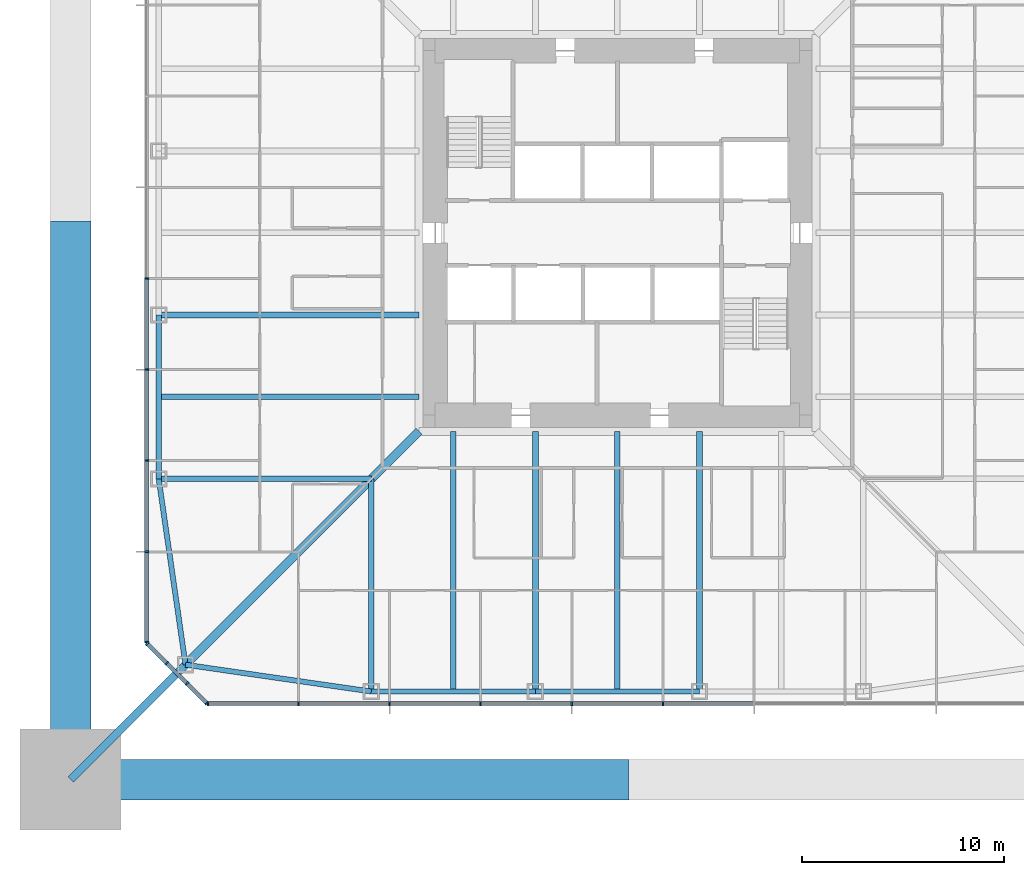
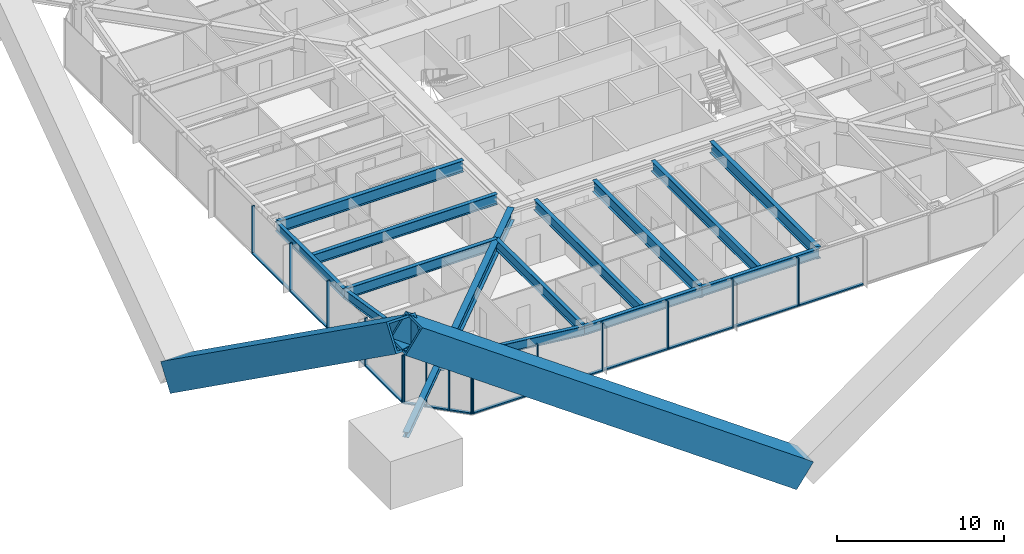
# One storey, part 3 of 28: 31 members, 14 beams, 3 elements without a shape of their own.
"""IFC4 building model written with IfcOpenShell, lengths in metres."""

import ifcopenshell
import ifcopenshell.guid

model = None  # the IFC model being written
_history = None  # IfcOwnerHistory: only IFC2X3 demands one
_inside = {}  # id of a spatial element -> (the spatial element, [elements in it])
_under = {}  # id of a project, library or spatial element -> (it, [spatial elements below it])
_declared = {}  # id of a project -> (the project, [libraries it declares])
_typed = {}  # id of a type object -> (the type object, [elements of that type])
_made_of = {}  # id of a material, layer set ... -> (it, [elements and type objects made of it])


def new_model(schema):
    """Start an empty IFC model of exactly this schema.

    Asked for "IFC4X3", IfcOpenShell would pick the latest addendum, in which some entities
    have other attributes; the version numbers below select the first issue.
    IFC2X3 requires an IfcOwnerHistory on every rooted entity: one is made here for all.
    """
    global model, _history
    if schema == "IFC4X3":
        model = ifcopenshell.file(schema_version=(4, 3, 0, 0))
    else:
        model = ifcopenshell.file(schema=schema)
    _inside.clear()
    _under.clear()
    _declared.clear()
    _typed.clear()
    _made_of.clear()
    _history = None
    if model.schema == "IFC2X3":
        org = make("IfcOrganization", Name="unknown")
        user = make(
            "IfcPersonAndOrganization",
            ThePerson=make("IfcPerson", FamilyName="unknown"),
            TheOrganization=org,
        )
        app = make(
            "IfcApplication",
            ApplicationDeveloper=org,
            Version="unknown",
            ApplicationFullName="unknown",
            ApplicationIdentifier="unknown",
        )
        _history = make(
            "IfcOwnerHistory",
            OwningUser=user,
            OwningApplication=app,
            ChangeAction="ADDED",
            CreationDate=0,
        )
    return model


def make(cls, **values):
    """One entity of the class cls with the attributes given. An attribute that is None is left unset."""
    return model.create_entity(
        cls, **{name: value for name, value in values.items() if value is not None}
    )


def rooted(cls, **values):
    """An entity with a GlobalId (a new one), such as an element, a storey or a relation."""
    return make(cls, GlobalId=ifcopenshell.guid.new(), OwnerHistory=_history, **values)


def si_unit(unit_type, name, prefix=None):
    """IfcSIUnit, for example si_unit("LENGTHUNIT", "METRE", prefix="MILLI")."""
    return make("IfcSIUnit", UnitType=unit_type, Prefix=prefix, Name=name)


def assignment(units):
    """IfcUnitAssignment: the units of a project."""
    return None if units is None else make("IfcUnitAssignment", Units=units)


def point(xyz):
    """IfcCartesianPoint."""
    return None if xyz is None else make("IfcCartesianPoint", Coordinates=xyz)


def direction(xyz):
    """IfcDirection."""
    return None if xyz is None else make("IfcDirection", DirectionRatios=xyz)


def frame(location, z_axis=None, x_axis=None):
    """IfcAxis2Placement3D, a coordinate frame: its origin and axes. An axis left out is left unset."""
    return make(
        "IfcAxis2Placement3D",
        Location=point(location),
        Axis=direction(z_axis),
        RefDirection=direction(x_axis),
    )


def frame_2d(location, x_axis=None):
    """IfcAxis2Placement2D, a coordinate frame in the plane: its origin and x axis."""
    return make(
        "IfcAxis2Placement2D", Location=point(location), RefDirection=direction(x_axis)
    )


def origin():
    """The frame at (0, 0, 0) with its axes left unset."""
    return frame((0.0, 0.0, 0.0))


def origin_2d():
    """The frame at (0, 0) in the plane with its x axis left unset."""
    return frame_2d((0.0, 0.0))


def place(relative_to, where):
    """IfcLocalPlacement: puts the frame where relative to a parent placement (None: the world)."""
    return make(
        "IfcLocalPlacement", PlacementRelTo=relative_to, RelativePlacement=where
    )


def context(
    kind, dimensions, precision=None, world=None, true_north=None, identifier=None
):
    """IfcGeometricRepresentationContext, for example the 3D "Model" context."""
    return make(
        "IfcGeometricRepresentationContext",
        ContextIdentifier=identifier,
        ContextType=kind,
        CoordinateSpaceDimension=dimensions,
        Precision=precision,
        WorldCoordinateSystem=world,
        TrueNorth=true_north,
    )


def subcontext(parent, identifier, kind, view, scale=None):
    """IfcGeometricRepresentationSubContext, for example "Body" below "Model"."""
    return make(
        "IfcGeometricRepresentationSubContext",
        ContextIdentifier=identifier,
        ContextType=kind,
        ParentContext=parent,
        TargetScale=scale,
        TargetView=view,
    )


def project(units=None, contexts=None):
    """IfcProject with its units and contexts."""
    return rooted(
        "IfcProject",
        Name="project",
        RepresentationContexts=contexts,
        UnitsInContext=assignment(units),
    )


def spatial(cls, under=None, at=None, **own):
    """A site, building, storey or space (cls), placed at a placement, below another one or the project."""
    s = rooted(cls, ObjectPlacement=at, **own)
    if under is not None:
        _under.setdefault(under.id(), (under, []))[1].append(s)
    return s


def profile(cls, at=None, kind="AREA", **sizes):
    """A parametric profile (cls). Its sizes go by their IFC names, for example OverallWidth=200.0."""
    return make(cls, ProfileType=kind, Position=at, **sizes)


def rectangle(**sizes):
    """IfcRectangleProfileDef."""
    return profile("IfcRectangleProfileDef", **sizes)


def hollow_rectangle(**sizes):
    """IfcRectangleHollowProfileDef."""
    return profile("IfcRectangleHollowProfileDef", **sizes)


def i_section(**sizes):
    """IfcIShapeProfileDef."""
    return profile("IfcIShapeProfileDef", **sizes)


def extrude(swept, where, along, depth):
    """IfcExtrudedAreaSolid: the profile swept, set in the frame where, extruded along a direction by depth."""
    return make(
        "IfcExtrudedAreaSolid",
        SweptArea=swept,
        Position=where,
        ExtrudedDirection=direction(along),
        Depth=depth,
    )


def shape(context_of_items, identifier, shape_type, items):
    """IfcShapeRepresentation: the items that make up one representation, for example the "Body"."""
    return make(
        "IfcShapeRepresentation",
        ContextOfItems=context_of_items,
        RepresentationIdentifier=identifier,
        RepresentationType=shape_type,
        Items=items,
    )


def material(Name=None, Category=None):
    """IfcMaterial."""
    return make("IfcMaterial", Name=Name, Category=Category)


def material_profile(
    of_material, cross_section, Name=None, Category=None, Priority=None
):
    """IfcMaterialProfile: a cross section and its material."""
    return make(
        "IfcMaterialProfile",
        Name=Name,
        Material=of_material,
        Profile=cross_section,
        Priority=Priority,
        Category=Category,
    )


def profile_set(profiles, Name=None, composite=None):
    """IfcMaterialProfileSet."""
    return make(
        "IfcMaterialProfileSet",
        Name=Name,
        MaterialProfiles=profiles,
        CompositeProfile=composite,
    )


def made_of(thing, what):
    """Note that an element or type object is made of a material, layer set ...; save() writes the relation."""
    if what is not None:
        _made_of.setdefault(what.id(), (what, []))[1].append(thing)
    return thing


def type_object(cls, material=None, **own):
    """A type object (cls), such as IfcWallType, which elements share."""
    return made_of(rooted(cls, **own), material)


def element(
    cls,
    number,
    at=None,
    inside=None,
    cuts=None,
    type_object=None,
    material=None,
    context=None,
    identifier="Body",
    shape_type=None,
    held_by="IfcProductDefinitionShape",
    body=None,
    shapes=None,
    **own,
):
    """One element of the class cls, such as IfcWall. Its Tag is "e" and its number.

    at: its placement. inside: the storey or other place that contains it. cuts: it is an
    opening in that element (IfcRelVoidsElement). A single representation is given by context,
    identifier, shape_type and body (its items); several are given by shapes. held_by: the class
    of the entity that holds the representations. save() writes the other relations.
    """
    e = rooted(cls, Tag="e%d" % number, ObjectPlacement=at, **own)
    if body is not None:
        shapes = [shape(context, identifier, shape_type, body)]
    if shapes is not None:
        e.Representation = make(held_by, Representations=shapes)
    if inside is not None:
        _inside.setdefault(inside.id(), (inside, []))[1].append(e)
    if cuts is not None:
        rooted(
            "IfcRelVoidsElement", RelatingBuildingElement=cuts, RelatedOpeningElement=e
        )
    if type_object is not None:
        _typed.setdefault(type_object.id(), (type_object, []))[1].append(e)
    return made_of(e, material)


def aggregate(whole, parts):
    """IfcRelAggregates: a whole, such as a stair, and the parts it consists of."""
    return rooted("IfcRelAggregates", RelatingObject=whole, RelatedObjects=parts)


def save(model, path):
    """Write the relations noted so far, then the file.

    IfcRelAggregates (storeys below a building ...), IfcRelContainedInSpatialStructure (elements
    in a storey), IfcRelDefinesByType, IfcRelAssociatesMaterial and IfcRelDeclares: one each for
    every whole, place, type object, material and project.
    """
    for whole, parts in _under.values():
        aggregate(whole, parts)
    for where, things in _inside.values():
        rooted(
            "IfcRelContainedInSpatialStructure",
            RelatedElements=things,
            RelatingStructure=where,
        )
    for kind, things in _typed.values():
        rooted("IfcRelDefinesByType", RelatedObjects=things, RelatingType=kind)
    for what, things in _made_of.values():
        rooted("IfcRelAssociatesMaterial", RelatedObjects=things, RelatingMaterial=what)
    for by, libraries in _declared.values():
        rooted("IfcRelDeclares", RelatingContext=by, RelatedDefinitions=libraries)
    model.write(path)


model = new_model("IFC4")

# Units and contexts
model_context = context("Model", 3, precision=1e-05, world=origin(), true_north=direction((0.0, 1.0)))
body_context = subcontext(model_context, "Body", "Model", "MODEL_VIEW")
ifc_project = project(units=[si_unit("LENGTHUNIT", "METRE"), si_unit("AREAUNIT", "SQUARE_METRE"), si_unit("VOLUMEUNIT", "CUBIC_METRE"), si_unit("PLANEANGLEUNIT", "RADIAN"), si_unit("MASSUNIT", "GRAM", prefix="KILO")], contexts=[model_context])

# Site, building, storey
site_placement = place(None, origin())
site = spatial("IfcSite", under=ifc_project, at=site_placement, CompositionType="ELEMENT")
building_placement = place(site_placement, origin())
building = spatial("IfcBuilding", under=site, at=building_placement, Name="Iwan Alto Co-Living Towers", CompositionType="ELEMENT")
storey_placement = place(building_placement, frame((0.0, 0.0, 64.0)))
storey = spatial("IfcBuildingStorey", under=building, at=storey_placement, Name="L17", CompositionType="ELEMENT", Elevation=64.0)

# Curtain wall, members
ifc_material_1 = material(Name="Bronze aluminium unitised frame", Category="aluminium")
curtain_wall_type_1 = type_object("IfcCurtainWallType", Name="CURTAIN WALL CW-A", PredefinedType="NOTDEFINED", material=ifc_material_1)
curtain_wall_1_placement = place(storey_placement, origin())
curtain_wall_1 = element("IfcCurtainWall", 1, at=curtain_wall_1_placement, inside=storey, type_object=curtain_wall_type_1, Name="T1 curtain wall S L17", PredefinedType="NOTDEFINED")
ifc_material_2 = material(Name="Aluminium 6063-T6 bronze anodised", Category="aluminium")
ifc_material_profile_1 = material_profile(ifc_material_2, rectangle(XDim=0.199951171875, YDim=0.080078125, at=origin_2d()), Name="AL 80X200")
ifc_profile_set_1 = profile_set([ifc_material_profile_1], Name="Aluminium 6063-T6 bronze anodised")
member_type_1 = type_object("IfcMemberType", Name="CW-A MULLION 80X200", PredefinedType="MULLION", material=ifc_profile_set_1)
member_1_placement = place(storey_placement, frame((-20.2099609375, -23.25, 0.0), z_axis=(0.0, 0.0, 1.0), x_axis=(0.0, 1.0, 0.0)))
member_1 = element("IfcMember", 2, at=member_1_placement, type_object=member_type_1, Name="CW-A mullion 1", PredefinedType="MULLION", context=body_context, shape_type="SweptSolid", body=[
    extrude(rectangle(XDim=0.199951171875, YDim=0.080078125, at=origin_2d()), origin(), (0.0, 0.0, 1.0), 3.5),
])
member_2_placement = place(storey_placement, frame((-15.75, -23.25, 0.0), z_axis=(0.0, 0.0, 1.0), x_axis=(0.0, 1.0, 0.0)))
member_2 = element("IfcMember", 3, at=member_2_placement, type_object=member_type_1, Name="CW-A mullion 2", PredefinedType="MULLION", context=body_context, shape_type="SweptSolid", body=[
    extrude(rectangle(XDim=0.199951171875, YDim=0.080078125, at=origin_2d()), origin(), (0.0, 0.0, 1.0), 3.5),
])
member_3_placement = place(storey_placement, frame((-11.25, -23.25, 0.0), z_axis=(0.0, 0.0, 1.0), x_axis=(0.0, 1.0, 0.0)))
member_3 = element("IfcMember", 4, at=member_3_placement, type_object=member_type_1, Name="CW-A mullion 3", PredefinedType="MULLION", context=body_context, shape_type="SweptSolid", body=[
    extrude(rectangle(XDim=0.199951171875, YDim=0.080078125, at=origin_2d()), origin(), (0.0, 0.0, 1.0), 3.5),
])
member_4_placement = place(storey_placement, frame((-6.75, -23.25, 0.0), z_axis=(0.0, 0.0, 1.0), x_axis=(0.0, 1.0, 0.0)))
member_4 = element("IfcMember", 5, at=member_4_placement, type_object=member_type_1, Name="CW-A mullion 4", PredefinedType="MULLION", context=body_context, shape_type="SweptSolid", body=[
    extrude(rectangle(XDim=0.199951171875, YDim=0.080078125, at=origin_2d()), origin(), (0.0, 0.0, 1.0), 3.5),
])
member_5_placement = place(storey_placement, frame((-2.25, -23.25, 0.0), z_axis=(0.0, 0.0, 1.0), x_axis=(0.0, 1.0, 0.0)))
member_5 = element("IfcMember", 6, at=member_5_placement, type_object=member_type_1, Name="CW-A mullion 5", PredefinedType="MULLION", context=body_context, shape_type="SweptSolid", body=[
    extrude(rectangle(XDim=0.199951171875, YDim=0.080078125, at=origin_2d()), origin(), (0.0, 0.0, 1.0), 3.5),
])
member_6_placement = place(storey_placement, frame((2.25, -23.25, 0.0), z_axis=(0.0, 0.0, 1.0), x_axis=(0.0, 1.0, 0.0)))
member_6 = element("IfcMember", 7, at=member_6_placement, type_object=member_type_1, Name="CW-A mullion 6", PredefinedType="MULLION", context=body_context, shape_type="SweptSolid", body=[
    extrude(rectangle(XDim=0.199951171875, YDim=0.080078125, at=origin_2d()), origin(), (0.0, 0.0, 1.0), 3.5),
])

curtain_wall_2_placement = place(storey_placement, origin())
curtain_wall_2 = element("IfcCurtainWall", 8, at=curtain_wall_2_placement, inside=storey, type_object=curtain_wall_type_1, Name="T1 curtain wall W L17", PredefinedType="NOTDEFINED")
member_7_placement = place(storey_placement, frame((-23.25, -2.25, 0.0), z_axis=(0.0, 0.0, 1.0), x_axis=(1.0, 0.0, 0.0)))
member_7 = element("IfcMember", 9, at=member_7_placement, type_object=member_type_1, Name="CW-A mullion 6", PredefinedType="MULLION", context=body_context, shape_type="SweptSolid", body=[
    extrude(rectangle(XDim=0.199951171875, YDim=0.080078125, at=origin_2d()), origin(), (0.0, 0.0, 1.0), 3.5),
])
member_8_placement = place(storey_placement, frame((-23.25, -6.75, 0.0), z_axis=(0.0, 0.0, 1.0), x_axis=(1.0, 0.0, 0.0)))
member_8 = element("IfcMember", 10, at=member_8_placement, type_object=member_type_1, Name="CW-A mullion 7", PredefinedType="MULLION", context=body_context, shape_type="SweptSolid", body=[
    extrude(rectangle(XDim=0.199951171875, YDim=0.080078125, at=origin_2d()), origin(), (0.0, 0.0, 1.0), 3.5),
])
member_9_placement = place(storey_placement, frame((-23.25, -11.25, 0.0), z_axis=(0.0, 0.0, 1.0), x_axis=(1.0, 0.0, 0.0)))
member_9 = element("IfcMember", 11, at=member_9_placement, type_object=member_type_1, Name="CW-A mullion 8", PredefinedType="MULLION", context=body_context, shape_type="SweptSolid", body=[
    extrude(rectangle(XDim=0.199951171875, YDim=0.080078125, at=origin_2d()), origin(), (0.0, 0.0, 1.0), 3.5),
])
member_10_placement = place(storey_placement, frame((-23.25, -15.75, 0.0), z_axis=(0.0, 0.0, 1.0), x_axis=(1.0, 0.0, 0.0)))
member_10 = element("IfcMember", 12, at=member_10_placement, type_object=member_type_1, Name="CW-A mullion 9", PredefinedType="MULLION", context=body_context, shape_type="SweptSolid", body=[
    extrude(rectangle(XDim=0.199951171875, YDim=0.080078125, at=origin_2d()), origin(), (0.0, 0.0, 1.0), 3.5),
])
member_11_placement = place(storey_placement, frame((-23.25, -20.2099609375, 0.0), z_axis=(0.0, 0.0, 1.0), x_axis=(1.0, 0.0, 0.0)))
member_11 = element("IfcMember", 13, at=member_11_placement, type_object=member_type_1, Name="CW-A mullion 10", PredefinedType="MULLION", context=body_context, shape_type="SweptSolid", body=[
    extrude(rectangle(XDim=0.199951171875, YDim=0.080078125, at=origin_2d()), origin(), (0.0, 0.0, 1.0), 3.5),
])

# Member
ifc_material_3 = material(Name="Aluminium 6063-T6 bronze anodised", Category="aluminium")
ifc_material_profile_2 = material_profile(ifc_material_3, rectangle(XDim=0.199951171875, YDim=0.10009765625, at=origin_2d()), Name="AL 200X100")
ifc_profile_set_2 = profile_set([ifc_material_profile_2], Name="Aluminium 6063-T6 bronze anodised")
member_type_2 = type_object("IfcMemberType", Name="CW-A TRANSOM 200X100", PredefinedType="USERDEFINED", material=ifc_profile_set_2)
member_12_placement = place(storey_placement, frame((-20.169921875, -23.25, 0.050048828125), z_axis=(1.0, 0.0, 0.0), x_axis=(0.0, 1.0, 0.0)))
member_12 = element("IfcMember", 14, at=member_12_placement, type_object=member_type_2, Name="CW-A transom 1.1", ObjectType="TRANSOM", PredefinedType="USERDEFINED", context=body_context, shape_type="SweptSolid", body=[
    extrude(rectangle(XDim=0.199951171875, YDim=0.10009765625, at=origin_2d()), origin(), (0.0, 0.0, 1.0), 4.3798828125),
])

member_13_placement = place(storey_placement, frame((-15.7099609375, -23.25, 0.050048828125), z_axis=(1.0, 0.0, 0.0), x_axis=(0.0, 1.0, 0.0)))
member_13 = element("IfcMember", 15, at=member_13_placement, type_object=member_type_2, Name="CW-A transom 2.1", ObjectType="TRANSOM", PredefinedType="USERDEFINED", context=body_context, shape_type="SweptSolid", body=[
    extrude(rectangle(XDim=0.199951171875, YDim=0.10009765625, at=origin_2d()), origin(), (0.0, 0.0, 1.0), 4.419921875),
])

member_14_placement = place(storey_placement, frame((-11.2099609375, -23.25, 0.050048828125), z_axis=(1.0, 0.0, 0.0), x_axis=(0.0, 1.0, 0.0)))
member_14 = element("IfcMember", 16, at=member_14_placement, type_object=member_type_2, Name="CW-A transom 3.1", ObjectType="TRANSOM", PredefinedType="USERDEFINED", context=body_context, shape_type="SweptSolid", body=[
    extrude(rectangle(XDim=0.199951171875, YDim=0.10009765625, at=origin_2d()), origin(), (0.0, 0.0, 1.0), 4.419921875),
])

member_15_placement = place(storey_placement, frame((-6.7099609375, -23.25, 0.050048828125), z_axis=(1.0, 0.0, 0.0), x_axis=(0.0, 1.0, 0.0)))
member_15 = element("IfcMember", 17, at=member_15_placement, type_object=member_type_2, Name="CW-A transom 4.1", ObjectType="TRANSOM", PredefinedType="USERDEFINED", context=body_context, shape_type="SweptSolid", body=[
    extrude(rectangle(XDim=0.199951171875, YDim=0.10009765625, at=origin_2d()), origin(), (0.0, 0.0, 1.0), 4.419921875),
])

member_16_placement = place(storey_placement, frame((-2.2099609375, -23.25, 0.050048828125), z_axis=(1.0, 0.0, 0.0), x_axis=(0.0, 1.0, 0.0)))
member_16 = element("IfcMember", 18, at=member_16_placement, type_object=member_type_2, Name="CW-A transom 5.1", ObjectType="TRANSOM", PredefinedType="USERDEFINED", context=body_context, shape_type="SweptSolid", body=[
    extrude(rectangle(XDim=0.199951171875, YDim=0.10009765625, at=origin_2d()), origin(), (0.0, 0.0, 1.0), 4.419921875),
])

member_17_placement = place(storey_placement, frame((2.2900390625, -23.25, 0.050048828125), z_axis=(1.0, 0.0, 0.0), x_axis=(0.0, 1.0, 0.0)))
member_17 = element("IfcMember", 19, at=member_17_placement, type_object=member_type_2, Name="CW-A transom 6.1", ObjectType="TRANSOM", PredefinedType="USERDEFINED", context=body_context, shape_type="SweptSolid", body=[
    extrude(rectangle(XDim=0.199951171875, YDim=0.10009765625, at=origin_2d()), origin(), (0.0, 0.0, 1.0), 4.419921875),
])

aggregate(curtain_wall_1, [member_1, member_2, member_3, member_4, member_5, member_6, member_12, member_13, member_14, member_15, member_16, member_17])

member_18_placement = place(storey_placement, frame((-23.25, -2.2900390625, 0.050048828125), z_axis=(0.0, -1.0, 0.0), x_axis=(1.0, 0.0, 0.0)))
member_18 = element("IfcMember", 20, at=member_18_placement, type_object=member_type_2, Name="CW-A transom 6.1", ObjectType="TRANSOM", PredefinedType="USERDEFINED", context=body_context, shape_type="SweptSolid", body=[
    extrude(rectangle(XDim=0.199951171875, YDim=0.10009765625, at=origin_2d()), origin(), (0.0, 0.0, 1.0), 4.419921875),
])

member_19_placement = place(storey_placement, frame((-23.25, -6.7900390625, 0.050048828125), z_axis=(0.0, -1.0, 0.0), x_axis=(1.0, 0.0, 0.0)))
member_19 = element("IfcMember", 21, at=member_19_placement, type_object=member_type_2, Name="CW-A transom 7.1", ObjectType="TRANSOM", PredefinedType="USERDEFINED", context=body_context, shape_type="SweptSolid", body=[
    extrude(rectangle(XDim=0.199951171875, YDim=0.10009765625, at=origin_2d()), origin(), (0.0, 0.0, 1.0), 4.419921875),
])

member_20_placement = place(storey_placement, frame((-23.25, -11.2900390625, 0.050048828125), z_axis=(0.0, -1.0, 0.0), x_axis=(1.0, 0.0, 0.0)))
member_20 = element("IfcMember", 22, at=member_20_placement, type_object=member_type_2, Name="CW-A transom 8.1", ObjectType="TRANSOM", PredefinedType="USERDEFINED", context=body_context, shape_type="SweptSolid", body=[
    extrude(rectangle(XDim=0.199951171875, YDim=0.10009765625, at=origin_2d()), origin(), (0.0, 0.0, 1.0), 4.419921875),
])

member_21_placement = place(storey_placement, frame((-23.25, -15.7900390625, 0.050048828125), z_axis=(0.0, -1.0, 0.0), x_axis=(1.0, 0.0, 0.0)))
member_21 = element("IfcMember", 23, at=member_21_placement, type_object=member_type_2, Name="CW-A transom 9.1", ObjectType="TRANSOM", PredefinedType="USERDEFINED", context=body_context, shape_type="SweptSolid", body=[
    extrude(rectangle(XDim=0.199951171875, YDim=0.10009765625, at=origin_2d()), origin(), (0.0, 0.0, 1.0), 4.3798828125),
])

aggregate(curtain_wall_2, [member_7, member_8, member_9, member_10, member_11, member_18, member_19, member_20, member_21])

# Curtain wall, members
ifc_material_4 = material(Name="Bronze aluminium unitised frame", Category="aluminium")
curtain_wall_type_2 = type_object("IfcCurtainWallType", Name="CURTAIN WALL CW-B", PredefinedType="NOTDEFINED", material=ifc_material_4)
curtain_wall_3_placement = place(storey_placement, origin())
curtain_wall_3 = element("IfcCurtainWall", 24, at=curtain_wall_3_placement, inside=storey, type_object=curtain_wall_type_2, Name="T1 chamfer curtain wall SW L17", PredefinedType="NOTDEFINED")
ifc_material_5 = material(Name="Aluminium 6063-T6 bronze anodised", Category="aluminium")
ifc_material_profile_3 = material_profile(ifc_material_5, rectangle(XDim=0.199951171875, YDim=0.080078125, at=origin_2d()), Name="AL 80X200")
ifc_profile_set_3 = profile_set([ifc_material_profile_3], Name="Aluminium 6063-T6 bronze anodised")
member_type_3 = type_object("IfcMemberType", Name="CW-B MULLION 80X200", PredefinedType="MULLION", material=ifc_profile_set_3)
member_22_placement = place(storey_placement, frame((-23.2216796875, -20.2783203125, 0.0), z_axis=(0.0, 0.0, 1.0), x_axis=(0.707106781187, 0.707106781187, 0.0)))
member_22 = element("IfcMember", 25, at=member_22_placement, type_object=member_type_3, Name="CW-B mullion 1", PredefinedType="MULLION", context=body_context, shape_type="SweptSolid", body=[
    extrude(rectangle(XDim=0.199951171875, YDim=0.080078125, at=origin_2d()), origin(), (0.0, 0.0, 1.0), 3.5),
])
member_23_placement = place(storey_placement, frame((-22.25, -21.25, 0.0), z_axis=(0.0, 0.0, 1.0), x_axis=(0.707106781187, 0.707106781187, 0.0)))
member_23 = element("IfcMember", 26, at=member_23_placement, type_object=member_type_3, Name="CW-B mullion 2", PredefinedType="MULLION", context=body_context, shape_type="SweptSolid", body=[
    extrude(rectangle(XDim=0.199951171875, YDim=0.080078125, at=origin_2d()), origin(), (0.0, 0.0, 1.0), 3.5),
])
member_24_placement = place(storey_placement, frame((-21.25, -22.25, 0.0), z_axis=(0.0, 0.0, 1.0), x_axis=(0.707106781187, 0.707106781187, 0.0)))
member_24 = element("IfcMember", 27, at=member_24_placement, type_object=member_type_3, Name="CW-B mullion 3", PredefinedType="MULLION", context=body_context, shape_type="SweptSolid", body=[
    extrude(rectangle(XDim=0.199951171875, YDim=0.080078125, at=origin_2d()), origin(), (0.0, 0.0, 1.0), 3.5),
])
member_25_placement = place(storey_placement, frame((-20.2783203125, -23.2216796875, 0.0), z_axis=(0.0, 0.0, 1.0), x_axis=(0.707106781187, 0.707106781187, 0.0)))
member_25 = element("IfcMember", 28, at=member_25_placement, type_object=member_type_3, Name="CW-B mullion 4", PredefinedType="MULLION", context=body_context, shape_type="SweptSolid", body=[
    extrude(rectangle(XDim=0.199951171875, YDim=0.080078125, at=origin_2d()), origin(), (0.0, 0.0, 1.0), 3.5),
])
ifc_material_6 = material(Name="Aluminium 6063-T6 bronze anodised", Category="aluminium")
ifc_material_profile_4 = material_profile(ifc_material_6, rectangle(XDim=0.199951171875, YDim=0.10009765625, at=origin_2d()), Name="AL 200X100")
ifc_profile_set_4 = profile_set([ifc_material_profile_4], Name="Aluminium 6063-T6 bronze anodised")
member_type_4 = type_object("IfcMemberType", Name="CW-B TRANSOM 200X100", PredefinedType="USERDEFINED", material=ifc_profile_set_4)
member_26_placement = place(storey_placement, frame((-23.193359375, -20.306640625, 0.050048828125), z_axis=(0.707106781187, -0.707106781187, 0.0), x_axis=(0.707106781187, 0.707106781187, 0.0)))
member_26 = element("IfcMember", 29, at=member_26_placement, type_object=member_type_4, Name="CW-B transom 1.1", ObjectType="TRANSOM", PredefinedType="USERDEFINED", context=body_context, shape_type="SweptSolid", body=[
    extrude(rectangle(XDim=0.199951171875, YDim=0.10009765625, at=origin_2d()), origin(), (0.0, 0.0, 1.0), 1.2939453125),
])
member_27_placement = place(storey_placement, frame((-22.2216796875, -21.2783203125, 0.050048828125), z_axis=(0.707106781187, -0.707106781187, 0.0), x_axis=(0.707106781187, 0.707106781187, 0.0)))
member_27 = element("IfcMember", 30, at=member_27_placement, type_object=member_type_4, Name="CW-B transom 2.1", ObjectType="TRANSOM", PredefinedType="USERDEFINED", context=body_context, shape_type="SweptSolid", body=[
    extrude(rectangle(XDim=0.199951171875, YDim=0.10009765625, at=origin_2d()), origin(), (0.0, 0.0, 1.0), 1.334228515625),
])
member_28_placement = place(storey_placement, frame((-21.2216796875, -22.2783203125, 0.050048828125), z_axis=(0.707106781187, -0.707106781187, 0.0), x_axis=(0.707106781187, 0.707106781187, 0.0)))
member_28 = element("IfcMember", 31, at=member_28_placement, type_object=member_type_4, Name="CW-B transom 3.1", ObjectType="TRANSOM", PredefinedType="USERDEFINED", context=body_context, shape_type="SweptSolid", body=[
    extrude(rectangle(XDim=0.199951171875, YDim=0.10009765625, at=origin_2d()), origin(), (0.0, 0.0, 1.0), 1.2939453125),
])
aggregate(curtain_wall_3, [member_22, member_23, member_24, member_25, member_26, member_27, member_28])

# Beams
ifc_material_7 = material(Name="Steel ASTM A992 Gr 50", Category="steel")
ifc_material_profile_5 = material_profile(ifc_material_7, i_section(OverallWidth=0.419189453125, OverallDepth=0.927001953125, WebThickness=0.019287109375, FlangeThickness=0.031982421875, at=origin_2d()), Name="W36X231")
ifc_profile_set_5 = profile_set([ifc_material_profile_5], Name="Steel ASTM A992 Gr 50")
beam_type_1 = type_object("IfcBeamType", Name="T1 CORNER GIRDER W36X231", PredefinedType="BEAM", material=ifc_profile_set_5)
beam_1_placement = place(storey_placement, frame((-21.32568359375, -21.32568359375, 2.806396484375), z_axis=(0.707106781187, 0.707106781187, 0.0), x_axis=(-0.707106781187, 0.707106781187, 0.0)))
element("IfcBeam", 32, at=beam_1_placement, inside=storey, type_object=beam_type_1, Name="T1 corner girder CSW L18", PredefinedType="BEAM", context=body_context, shape_type="SweptSolid", body=[
    extrude(i_section(OverallWidth=0.419189453125, OverallDepth=0.927001953125, WebThickness=0.019287109375, FlangeThickness=0.031982421875, at=origin_2d()), origin(), (0.0, 0.0, 1.0), 16.30078125),
])
ifc_material_8 = material(Name="Steel ASTM A992 Gr 50", Category="steel")
ifc_material_profile_6 = material_profile(ifc_material_8, i_section(OverallWidth=0.25390625, OverallDepth=0.683349609375, WebThickness=0.012451171875, FlangeThickness=0.018798828125, at=origin_2d()), Name="W27X94")
ifc_profile_set_6 = profile_set([ifc_material_profile_6], Name="Steel ASTM A992 Gr 50")
beam_type_2 = type_object("IfcBeamType", Name="T1 EDGE BEAM W27X94", PredefinedType="BEAM", material=ifc_profile_set_6)
beam_2_placement = place(storey_placement, frame((-21.32568359375, -21.32568359375, 2.928466796875), z_axis=(0.989746234347, -0.142836940589, 0.0), x_axis=(0.142836940589, 0.989746234347, 0.0)))
element("IfcBeam", 33, at=beam_2_placement, inside=storey, type_object=beam_type_2, Name="T1 edge beam CSW L18", PredefinedType="BEAM", context=body_context, shape_type="SweptSolid", body=[
    extrude(i_section(OverallWidth=0.25390625, OverallDepth=0.683349609375, WebThickness=0.012451171875, FlangeThickness=0.018798828125, at=origin_2d()), origin(), (0.0, 0.0, 1.0), 9.270751953125),
])
beam_3_placement = place(storey_placement, frame((-12.14990234375, -22.64990234375, 2.928466796875), z_axis=(1.0, 0.0, 0.0), x_axis=(0.0, 1.0, 0.0)))
element("IfcBeam", 34, at=beam_3_placement, inside=storey, type_object=beam_type_2, Name="T1 edge beam S1 L18", PredefinedType="BEAM", context=body_context, shape_type="SweptSolid", body=[
    extrude(i_section(OverallWidth=0.25390625, OverallDepth=0.683349609375, WebThickness=0.012451171875, FlangeThickness=0.018798828125, at=origin_2d()), origin(), (0.0, 0.0, 1.0), 8.099853515625),
])
beam_4_placement = place(storey_placement, frame((-4.050048828125, -22.64990234375, 2.928466796875), z_axis=(1.0, 0.0, 0.0), x_axis=(0.0, 1.0, 0.0)))
element("IfcBeam", 35, at=beam_4_placement, inside=storey, type_object=beam_type_2, Name="T1 edge beam S2 L18", PredefinedType="BEAM", context=body_context, shape_type="SweptSolid", body=[
    extrude(i_section(OverallWidth=0.25390625, OverallDepth=0.683349609375, WebThickness=0.012451171875, FlangeThickness=0.018798828125, at=origin_2d()), origin(), (0.0, 0.0, 1.0), 8.10009765625),
])
beam_5_placement = place(storey_placement, frame((-22.64990234375, -4.050048828125, 2.928466796875), z_axis=(0.0, -1.0, 0.0), x_axis=(1.0, 0.0, 0.0)))
element("IfcBeam", 36, at=beam_5_placement, inside=storey, type_object=beam_type_2, Name="T1 edge beam W3 L18", PredefinedType="BEAM", context=body_context, shape_type="SweptSolid", body=[
    extrude(i_section(OverallWidth=0.25390625, OverallDepth=0.683349609375, WebThickness=0.012451171875, FlangeThickness=0.018798828125, at=origin_2d()), origin(), (0.0, 0.0, 1.0), 8.099853515625),
])
beam_6_placement = place(storey_placement, frame((-22.64990234375, -12.14990234375, 2.928466796875), z_axis=(0.142836940589, -0.989746234347, 0.0), x_axis=(0.989746234347, 0.142836940589, 0.0)))
element("IfcBeam", 37, at=beam_6_placement, inside=storey, type_object=beam_type_2, Name="T1 edge beam W4 L18", PredefinedType="BEAM", context=body_context, shape_type="SweptSolid", body=[
    extrude(i_section(OverallWidth=0.25390625, OverallDepth=0.683349609375, WebThickness=0.012451171875, FlangeThickness=0.018798828125, at=origin_2d()), origin(), (0.0, 0.0, 1.0), 9.270751953125),
])

# Members
ifc_material_9 = material(Name="Steel ASTM A572 Gr 42", Category="steel")
ifc_material_profile_7 = material_profile(ifc_material_9, hollow_rectangle(XDim=2.0, YDim=2.0, WallThickness=0.139892578125, at=origin_2d()), Name="BOX 2000X2000X140")
ifc_profile_set_7 = profile_set([ifc_material_profile_7], Name="Steel ASTM A572 Gr 42")
member_type_5 = type_object("IfcMemberType", Name="T1 MEGA BRACE BOX 2000X2000X140", PredefinedType="BRACE", material=ifc_profile_set_7)
for number, where, z_axis, x_axis, name in (
    (38, (0.0, -27.0, -8.75), (-0.814242569702, 0.0, 0.580524795065), (0.0, -1.0, 0.0), "T1 mega brace Z1B S 2 upper"),
    (39, (-27.0, 0.0, -8.75), (0.0, -0.814242569702, 0.580524795065), (1.0, 0.0, 0.0), "T1 mega brace Z1B W 1 upper"),
):
    element("IfcMember", number, at=place(storey_placement, frame(where, z_axis=z_axis, x_axis=x_axis)), inside=storey, type_object=member_type_5, Name=name, PredefinedType="BRACE", context=body_context, shape_type="SweptSolid", body=[
        extrude(hollow_rectangle(XDim=2.0, YDim=2.0, WallThickness=0.139892578125, at=origin_2d()), origin(), (0.0, 0.0, 1.0), 33.15966796875),
    ])
ifc_material_10 = material(Name="Steel ASTM A992 Gr 50", Category="steel")
ifc_material_profile_8 = material_profile(ifc_material_10, i_section(OverallWidth=0.393798828125, OverallDepth=0.3759765625, WebThickness=0.017333984375, FlangeThickness=0.027587890625, at=origin_2d()), Name="W14X145")
ifc_profile_set_8 = profile_set([ifc_material_profile_8], Name="Steel ASTM A992 Gr 50")
member_type_6 = type_object("IfcMemberType", Name="T1 MEGA COLUMN FLOOR TIE W14X145", PredefinedType="STRUT", material=ifc_profile_set_8)
member_29_placement = place(storey_placement, frame((-27.0, -27.0, 3.08203125), z_axis=(0.707106781187, 0.707106781187, 0.0), x_axis=(-0.707106781187, 0.707106781187, 0.0)))
element("IfcMember", 40, at=member_29_placement, inside=storey, type_object=member_type_6, Name="T1 mega column floor tie SW L18", PredefinedType="STRUT", context=body_context, shape_type="SweptSolid", body=[
    extrude(i_section(OverallWidth=0.393798828125, OverallDepth=0.3759765625, WebThickness=0.017333984375, FlangeThickness=0.027587890625, at=origin_2d()), origin(), (0.0, 0.0, 1.0), 8.024658203125),
])

# Beams
ifc_material_11 = material(Name="Steel ASTM A992 Gr 50", Category="steel")
ifc_material_profile_9 = material_profile(ifc_material_11, i_section(OverallWidth=0.2666015625, OverallDepth=0.761962890625, WebThickness=0.014404296875, FlangeThickness=0.021484375, at=origin_2d()), Name="W30X116")
ifc_profile_set_9 = profile_set([ifc_material_profile_9], Name="Steel ASTM A992 Gr 50")
beam_type_3 = type_object("IfcBeamType", Name="T1 RADIAL BEAM W30X116", PredefinedType="BEAM", material=ifc_profile_set_9)
for number, where, z_axis, x_axis, name in (
    (41, (-12.14990234375, -22.64990234375, 2.888916015625), (0.0, 1.0, 0.0), (-1.0, 0.0, 0.0), "T1 radial beam S1 L18"),
    (42, (-22.64990234375, -12.14990234375, 2.888916015625), (1.0, 0.0, 0.0), (0.0, 1.0, 0.0), "T1 radial beam W4 L18"),
):
    element("IfcBeam", number, at=place(storey_placement, frame(where, z_axis=z_axis, x_axis=x_axis)), inside=storey, type_object=beam_type_3, Name=name, PredefinedType="BEAM", context=body_context, shape_type="SweptSolid", body=[
        extrude(i_section(OverallWidth=0.2666015625, OverallDepth=0.761962890625, WebThickness=0.014404296875, FlangeThickness=0.021484375, at=origin_2d()), origin(), (0.0, 0.0, 1.0), 10.5),
    ])
ifc_material_12 = material(Name="Steel ASTM A992 Gr 50", Category="steel")
ifc_material_profile_10 = material_profile(ifc_material_12, i_section(OverallWidth=0.2919921875, OverallDepth=0.8408203125, WebThickness=0.0146484375, FlangeThickness=0.021728515625, at=origin_2d()), Name="W33X130")
ifc_profile_set_10 = profile_set([ifc_material_profile_10], Name="Steel ASTM A992 Gr 50")
beam_type_4 = type_object("IfcBeamType", Name="T1 RADIAL BEAM W33X130", PredefinedType="BEAM", material=ifc_profile_set_10)
for number, where, z_axis, x_axis, name in (
    (43, (-4.050048828125, -22.64990234375, 2.849609375), (0.0, 1.0, 0.0), (-1.0, 0.0, 0.0), "T1 radial beam S2 L18"),
    (44, (4.050048828125, -22.64990234375, 2.849609375), (0.0, 1.0, 0.0), (-1.0, 0.0, 0.0), "T1 radial beam S3 L18"),
    (45, (-22.64990234375, -4.050048828125, 2.849609375), (1.0, 0.0, 0.0), (0.0, 1.0, 0.0), "T1 radial beam W3 L18"),
):
    element("IfcBeam", number, at=place(storey_placement, frame(where, z_axis=z_axis, x_axis=x_axis)), inside=storey, type_object=beam_type_4, Name=name, PredefinedType="BEAM", context=body_context, shape_type="SweptSolid", body=[
        extrude(i_section(OverallWidth=0.2919921875, OverallDepth=0.8408203125, WebThickness=0.0146484375, FlangeThickness=0.021728515625, at=origin_2d()), origin(), (0.0, 0.0, 1.0), 12.8505859375),
    ])
ifc_material_13 = material(Name="Steel ASTM A992 Gr 50", Category="steel")
ifc_material_profile_11 = material_profile(ifc_material_13, i_section(OverallWidth=0.2666015625, OverallDepth=0.761962890625, WebThickness=0.014404296875, FlangeThickness=0.021484375, at=origin_2d()), Name="W30X116")
ifc_profile_set_11 = profile_set([ifc_material_profile_11], Name="Steel ASTM A992 Gr 50")
beam_type_5 = type_object("IfcBeamType", Name="T1 SECONDARY BEAM W30X116", PredefinedType="JOIST", material=ifc_profile_set_11)
for number, where, z_axis, x_axis, name in (
    (46, (-8.10009765625, -22.64990234375, 2.888916015625), (0.0, 1.0, 0.0), (-1.0, 0.0, 0.0), "T1 secondary beam S1 L18"),
    (47, (0.0, -22.64990234375, 2.888916015625), (0.0, 1.0, 0.0), (-1.0, 0.0, 0.0), "T1 secondary beam S2 L18"),
    (48, (-22.64990234375, -8.10009765625, 2.888916015625), (1.0, 0.0, 0.0), (0.0, 1.0, 0.0), "T1 secondary beam W3 L18"),
):
    element("IfcBeam", number, at=place(storey_placement, frame(where, z_axis=z_axis, x_axis=x_axis)), inside=storey, type_object=beam_type_5, Name=name, PredefinedType="JOIST", context=body_context, shape_type="SweptSolid", body=[
        extrude(i_section(OverallWidth=0.2666015625, OverallDepth=0.761962890625, WebThickness=0.014404296875, FlangeThickness=0.021484375, at=origin_2d()), origin(), (0.0, 0.0, 1.0), 12.8505859375),
    ])

save(model, "model.ifc")
